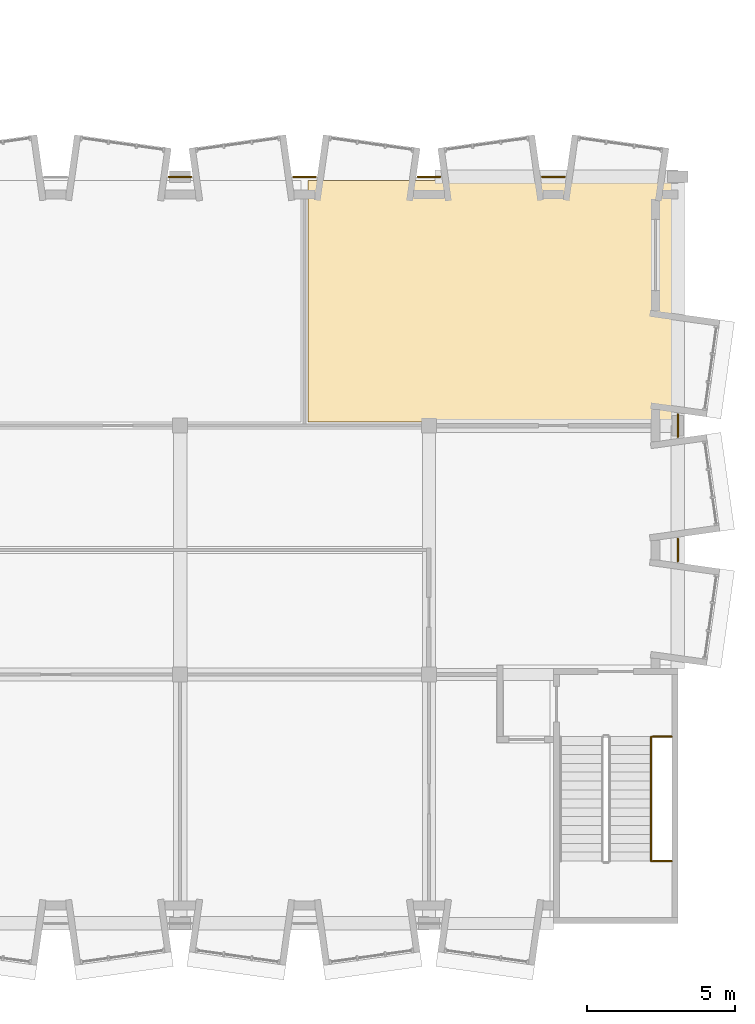
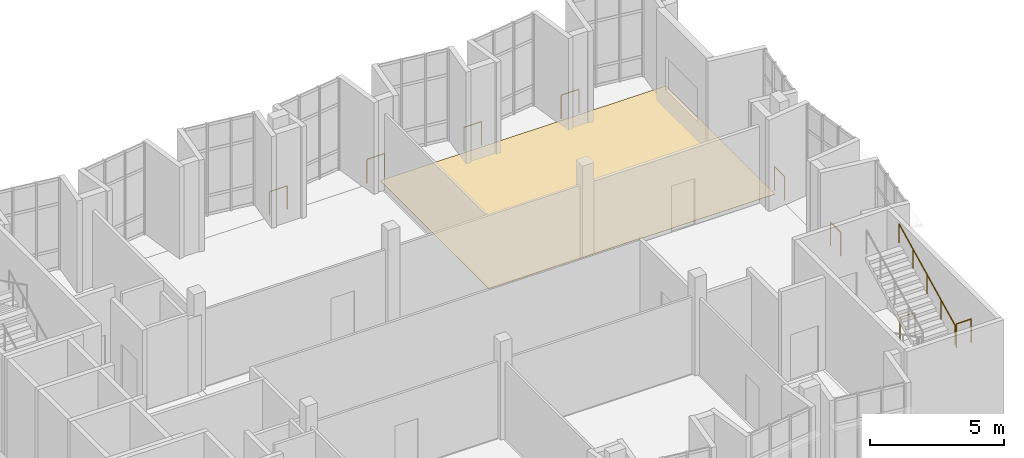
# One storey, part 17 of 18: 9 railings, 1 covering.
"""IFC4 building model written with IfcOpenShell, lengths in metres."""

import ifcopenshell
import ifcopenshell.guid

model = None  # the IFC model being written
_history = None  # IfcOwnerHistory: only IFC2X3 demands one
_inside = {}  # id of a spatial element -> (the spatial element, [elements in it])
_under = {}  # id of a project, library or spatial element -> (it, [spatial elements below it])
_declared = {}  # id of a project -> (the project, [libraries it declares])
_typed = {}  # id of a type object -> (the type object, [elements of that type])
_made_of = {}  # id of a material, layer set ... -> (it, [elements and type objects made of it])


def new_model(schema):
    """Start an empty IFC model of exactly this schema.

    Asked for "IFC4X3", IfcOpenShell would pick the latest addendum, in which some entities
    have other attributes; the version numbers below select the first issue.
    IFC2X3 requires an IfcOwnerHistory on every rooted entity: one is made here for all.
    """
    global model, _history
    if schema == "IFC4X3":
        model = ifcopenshell.file(schema_version=(4, 3, 0, 0))
    else:
        model = ifcopenshell.file(schema=schema)
    _inside.clear()
    _under.clear()
    _declared.clear()
    _typed.clear()
    _made_of.clear()
    _history = None
    if model.schema == "IFC2X3":
        org = make("IfcOrganization", Name="unknown")
        user = make(
            "IfcPersonAndOrganization",
            ThePerson=make("IfcPerson", FamilyName="unknown"),
            TheOrganization=org,
        )
        app = make(
            "IfcApplication",
            ApplicationDeveloper=org,
            Version="unknown",
            ApplicationFullName="unknown",
            ApplicationIdentifier="unknown",
        )
        _history = make(
            "IfcOwnerHistory",
            OwningUser=user,
            OwningApplication=app,
            ChangeAction="ADDED",
            CreationDate=0,
        )
    return model


def make(cls, **values):
    """One entity of the class cls with the attributes given. An attribute that is None is left unset."""
    return model.create_entity(
        cls, **{name: value for name, value in values.items() if value is not None}
    )


def rooted(cls, **values):
    """An entity with a GlobalId (a new one), such as an element, a storey or a relation."""
    return make(cls, GlobalId=ifcopenshell.guid.new(), OwnerHistory=_history, **values)


def si_unit(unit_type, name, prefix=None):
    """IfcSIUnit, for example si_unit("LENGTHUNIT", "METRE", prefix="MILLI")."""
    return make("IfcSIUnit", UnitType=unit_type, Prefix=prefix, Name=name)


def assignment(units):
    """IfcUnitAssignment: the units of a project."""
    return None if units is None else make("IfcUnitAssignment", Units=units)


def point(xyz):
    """IfcCartesianPoint."""
    return None if xyz is None else make("IfcCartesianPoint", Coordinates=xyz)


def direction(xyz):
    """IfcDirection."""
    return None if xyz is None else make("IfcDirection", DirectionRatios=xyz)


def frame(location, z_axis=None, x_axis=None):
    """IfcAxis2Placement3D, a coordinate frame: its origin and axes. An axis left out is left unset."""
    return make(
        "IfcAxis2Placement3D",
        Location=point(location),
        Axis=direction(z_axis),
        RefDirection=direction(x_axis),
    )


def frame_2d(location, x_axis=None):
    """IfcAxis2Placement2D, a coordinate frame in the plane: its origin and x axis."""
    return make(
        "IfcAxis2Placement2D", Location=point(location), RefDirection=direction(x_axis)
    )


def origin():
    """The frame at (0, 0, 0) with its axes left unset."""
    return frame((0.0, 0.0, 0.0))


def origin_2d():
    """The frame at (0, 0) in the plane with its x axis left unset."""
    return frame_2d((0.0, 0.0))


def place(relative_to, where):
    """IfcLocalPlacement: puts the frame where relative to a parent placement (None: the world)."""
    return make(
        "IfcLocalPlacement", PlacementRelTo=relative_to, RelativePlacement=where
    )


def context(
    kind, dimensions, precision=None, world=None, true_north=None, identifier=None
):
    """IfcGeometricRepresentationContext, for example the 3D "Model" context."""
    return make(
        "IfcGeometricRepresentationContext",
        ContextIdentifier=identifier,
        ContextType=kind,
        CoordinateSpaceDimension=dimensions,
        Precision=precision,
        WorldCoordinateSystem=world,
        TrueNorth=true_north,
    )


def subcontext(parent, identifier, kind, view, scale=None):
    """IfcGeometricRepresentationSubContext, for example "Body" below "Model"."""
    return make(
        "IfcGeometricRepresentationSubContext",
        ContextIdentifier=identifier,
        ContextType=kind,
        ParentContext=parent,
        TargetScale=scale,
        TargetView=view,
    )


def project(units=None, contexts=None):
    """IfcProject with its units and contexts."""
    return rooted(
        "IfcProject",
        Name="project",
        RepresentationContexts=contexts,
        UnitsInContext=assignment(units),
    )


def spatial(cls, under=None, at=None, **own):
    """A site, building, storey or space (cls), placed at a placement, below another one or the project."""
    s = rooted(cls, ObjectPlacement=at, **own)
    if under is not None:
        _under.setdefault(under.id(), (under, []))[1].append(s)
    return s


def polyline(points):
    """IfcPolyline through the points."""
    return make("IfcPolyline", Points=[point(p) for p in points])


def profile(cls, at=None, kind="AREA", **sizes):
    """A parametric profile (cls). Its sizes go by their IFC names, for example OverallWidth=200.0."""
    return make(cls, ProfileType=kind, Position=at, **sizes)


def circle(**sizes):
    """IfcCircleProfileDef."""
    return profile("IfcCircleProfileDef", **sizes)


def outline(outer, holes=None, kind="AREA"):
    """IfcArbitraryClosedProfileDef: a profile drawn as a closed curve; with holes, ...WithVoids."""
    if holes is None:
        return make("IfcArbitraryClosedProfileDef", ProfileType=kind, OuterCurve=outer)
    return make(
        "IfcArbitraryProfileDefWithVoids",
        ProfileType=kind,
        OuterCurve=outer,
        InnerCurves=holes,
    )


def extrude(swept, where, along, depth):
    """IfcExtrudedAreaSolid: the profile swept, set in the frame where, extruded along a direction by depth."""
    return make(
        "IfcExtrudedAreaSolid",
        SweptArea=swept,
        Position=where,
        ExtrudedDirection=direction(along),
        Depth=depth,
    )


def shape(context_of_items, identifier, shape_type, items):
    """IfcShapeRepresentation: the items that make up one representation, for example the "Body"."""
    return make(
        "IfcShapeRepresentation",
        ContextOfItems=context_of_items,
        RepresentationIdentifier=identifier,
        RepresentationType=shape_type,
        Items=items,
    )


def material(Name=None, Category=None):
    """IfcMaterial."""
    return make("IfcMaterial", Name=Name, Category=Category)


def layer(
    of_material, thickness, ventilated=None, Name=None, Category=None, Priority=None
):
    """IfcMaterialLayer: one layer of a wall or slab, of a material (None: an air gap)."""
    return make(
        "IfcMaterialLayer",
        Material=of_material,
        LayerThickness=thickness,
        IsVentilated=ventilated,
        Name=Name,
        Category=Category,
        Priority=Priority,
    )


def layer_set(layers, Name=None):
    """IfcMaterialLayerSet."""
    return make("IfcMaterialLayerSet", MaterialLayers=layers, LayerSetName=Name)


def made_of(thing, what):
    """Note that an element or type object is made of a material, layer set ...; save() writes the relation."""
    if what is not None:
        _made_of.setdefault(what.id(), (what, []))[1].append(thing)
    return thing


def type_object(cls, material=None, **own):
    """A type object (cls), such as IfcWallType, which elements share."""
    return made_of(rooted(cls, **own), material)


def element(
    cls,
    number,
    at=None,
    inside=None,
    cuts=None,
    type_object=None,
    material=None,
    context=None,
    identifier="Body",
    shape_type=None,
    held_by="IfcProductDefinitionShape",
    body=None,
    shapes=None,
    **own,
):
    """One element of the class cls, such as IfcWall. Its Tag is "e" and its number.

    at: its placement. inside: the storey or other place that contains it. cuts: it is an
    opening in that element (IfcRelVoidsElement). A single representation is given by context,
    identifier, shape_type and body (its items); several are given by shapes. held_by: the class
    of the entity that holds the representations. save() writes the other relations.
    """
    e = rooted(cls, Tag="e%d" % number, ObjectPlacement=at, **own)
    if body is not None:
        shapes = [shape(context, identifier, shape_type, body)]
    if shapes is not None:
        e.Representation = make(held_by, Representations=shapes)
    if inside is not None:
        _inside.setdefault(inside.id(), (inside, []))[1].append(e)
    if cuts is not None:
        rooted(
            "IfcRelVoidsElement", RelatingBuildingElement=cuts, RelatedOpeningElement=e
        )
    if type_object is not None:
        _typed.setdefault(type_object.id(), (type_object, []))[1].append(e)
    return made_of(e, material)


def aggregate(whole, parts):
    """IfcRelAggregates: a whole, such as a stair, and the parts it consists of."""
    return rooted("IfcRelAggregates", RelatingObject=whole, RelatedObjects=parts)


def save(model, path):
    """Write the relations noted so far, then the file.

    IfcRelAggregates (storeys below a building ...), IfcRelContainedInSpatialStructure (elements
    in a storey), IfcRelDefinesByType, IfcRelAssociatesMaterial and IfcRelDeclares: one each for
    every whole, place, type object, material and project.
    """
    for whole, parts in _under.values():
        aggregate(whole, parts)
    for where, things in _inside.values():
        rooted(
            "IfcRelContainedInSpatialStructure",
            RelatedElements=things,
            RelatingStructure=where,
        )
    for kind, things in _typed.values():
        rooted("IfcRelDefinesByType", RelatedObjects=things, RelatingType=kind)
    for what, things in _made_of.values():
        rooted("IfcRelAssociatesMaterial", RelatedObjects=things, RelatingMaterial=what)
    for by, libraries in _declared.values():
        rooted("IfcRelDeclares", RelatingContext=by, RelatedDefinitions=libraries)
    model.write(path)


model = new_model("IFC4")

# Units and contexts
model_context = context("Model", 3, precision=1e-05, world=origin(), true_north=direction((0.0, 1.0)))
body_context = subcontext(model_context, "Body", "Model", "MODEL_VIEW")
ifc_project = project(units=[si_unit("LENGTHUNIT", "METRE"), si_unit("AREAUNIT", "SQUARE_METRE"), si_unit("VOLUMEUNIT", "CUBIC_METRE"), si_unit("PLANEANGLEUNIT", "RADIAN"), si_unit("MASSUNIT", "GRAM", prefix="KILO")], contexts=[model_context])

# Site, building, storey
site_placement = place(None, origin())
site = spatial("IfcSite", under=ifc_project, at=site_placement, CompositionType="ELEMENT")
building_placement = place(site_placement, origin())
building = spatial("IfcBuilding", under=site, at=building_placement, Name="Kiln Court Media Centre", CompositionType="ELEMENT")
storey_placement = place(building_placement, frame((0.0, 0.0, 33.60009765625)))
storey = spatial("IfcBuildingStorey", under=building, at=storey_placement, Name="L07", CompositionType="ELEMENT", Elevation=33.60009765625)

# Covering
ifc_material_1 = material(Name="Carpet tile")
ifc_layer = layer(ifc_material_1, 0.014892578125)
ifc_layer_set = layer_set([ifc_layer], Name="Carpet tile floor finish 15")
covering_type = type_object("IfcCoveringType", Name="Carpet tile floor finish 15", PredefinedType="FLOORING", material=ifc_layer_set)
covering_placement = place(storey_placement, origin())
element("IfcCovering", 1, at=covering_placement, inside=storey, type_object=covering_type, Name="Quiet Reading Pavilion floor finish", PredefinedType="FLOORING", context=body_context, shape_type="SweptSolid", body=[
    extrude(outline(polyline([(21.1201171875, 16.919921875), (33.47998046875, 16.919921875), (33.47998046875, 25.080078125), (21.1201171875, 25.080078125), (21.1201171875, 16.919921875)])), origin(), (0.0, 0.0, 1.0), 0.014892578125),
])

# Railings
ifc_material_2 = material(Name="Steel S275", Category="steel")
railing_type_1 = type_object("IfcRailingType", Name="Steel S275 balustrade guard 1100", PredefinedType="GUARDRAIL", material=ifc_material_2)
for number, where, name in (
    (2, (16.417724609375, 25.199951171875, 0.0), "L07 slab notch guard"),
    (3, (20.61767578125, 25.199951171875, 0.0), "L07 slab notch guard"),
    (4, (24.817626953125, 25.199951171875, 0.0), "L07 slab notch guard"),
    (5, (29.017578125, 25.199951171875, 0.0), "L07 slab notch guard"),
):
    element("IfcRailing", number, at=place(storey_placement, frame(where)), inside=storey, type_object=railing_type_1, Name=name, PredefinedType="GUARDRAIL", context=body_context, shape_type="SweptSolid", body=[
        extrude(circle(Radius=0.02392578125, at=origin_2d()), frame((0.0, 0.0, 1.076171875), z_axis=(1.0, 0.0, 0.0), x_axis=(0.0, 1.0, 0.0)), (0.0, 0.0, 1.0), 0.7646484375),
        extrude(circle(Radius=0.02099609375, at=origin_2d()), origin(), (0.0, 0.0, 1.0), 1.052001953125),
        extrude(circle(Radius=0.02099609375, at=origin_2d()), frame((0.7646484375, 0.0, 0.0)), (0.0, 0.0, 1.0), 1.052001953125),
    ])
for number, where, name in (
    (6, (33.60009765625, 17.182373046875, 0.0), "L07 slab notch guard"),
    (7, (33.60009765625, 12.982421875, 0.0), "L07 slab notch guard"),
):
    element("IfcRailing", number, at=place(storey_placement, frame(where)), inside=storey, type_object=railing_type_1, Name=name, PredefinedType="GUARDRAIL", context=body_context, shape_type="SweptSolid", body=[
        extrude(circle(Radius=0.02392578125, at=origin_2d()), frame((0.0, 0.0, 1.076171875), z_axis=(0.0, -1.0, 0.0), x_axis=(1.0, 0.0, 0.0)), (0.0, 0.0, 1.0), 0.7646484375),
        extrude(circle(Radius=0.02099609375, at=origin_2d()), origin(), (0.0, 0.0, 1.0), 1.052001953125),
        extrude(circle(Radius=0.02099609375, at=origin_2d()), frame((0.0, -0.7646484375, 0.0)), (0.0, 0.0, 1.0), 1.052001953125),
    ])
ifc_material_3 = material(Name="Steel S275", Category="steel")
railing_type_2 = type_object("IfcRailingType", Name="Steel S275 stair guard 1100", PredefinedType="GUARDRAIL", material=ifc_material_3)
for number, where, name in (
    (8, (32.75, 2.10009765625, 2.25), "ST-03 landing edge guard"),
    (9, (32.75, 6.300048828125, 0.0), "ST-03 landing edge guard"),
):
    element("IfcRailing", number, at=place(storey_placement, frame(where)), inside=storey, type_object=railing_type_2, Name=name, PredefinedType="GUARDRAIL", context=body_context, shape_type="SweptSolid", body=[
        extrude(circle(Radius=0.02392578125, at=origin_2d()), frame((0.0, 0.0, 1.076171875), z_axis=(1.0, 0.0, 0.0), x_axis=(0.0, 1.0, 0.0)), (0.0, 0.0, 1.0), 0.64990234375),
        extrude(circle(Radius=0.02099609375, at=origin_2d()), origin(), (0.0, 0.0, 1.0), 1.052001953125),
        extrude(circle(Radius=0.02099609375, at=origin_2d()), frame((0.64990234375, 0.0, 0.0)), (0.0, 0.0, 1.0), 1.052001953125),
    ])
ifc_material_4 = material(Name="Steel S275", Category="steel")
railing_type_3 = type_object("IfcRailingType", Name="Steel S275 stair handrail 900", PredefinedType="HANDRAIL", material=ifc_material_4)
railing_placement = place(storey_placement, frame((32.699951171875, 2.10009765625, 2.39990234375)))
element("IfcRailing", 10, at=railing_placement, inside=storey, type_object=railing_type_3, Name="ST-03 stair handrail", PredefinedType="HANDRAIL", context=body_context, shape_type="SweptSolid", body=[
    extrude(circle(Radius=0.02392578125, at=origin_2d()), frame((0.0, 0.0, 0.8759765625), z_axis=(0.0, 0.894416792377, 0.447234392142), x_axis=(-1.0, 0.0, 0.0)), (0.0, 0.0, 1.0), 4.69580078125),
    extrude(circle(Radius=0.02099609375, at=origin_2d()), origin(), (0.0, 0.0, 1.0), 0.851806640625),
    extrude(circle(Radius=0.02099609375, at=origin_2d()), frame((0.0, 1.050048828125, 0.52490234375)), (0.0, 0.0, 1.0), 0.851806640625),
    extrude(circle(Radius=0.02099609375, at=origin_2d()), frame((0.0, 2.10009765625, 1.050048828125)), (0.0, 0.0, 1.0), 0.851806640625),
    extrude(circle(Radius=0.02099609375, at=origin_2d()), frame((0.0, 3.14990234375, 1.5751953125)), (0.0, 0.0, 1.0), 0.851806640625),
    extrude(circle(Radius=0.02099609375, at=origin_2d()), frame((0.0, 4.199951171875, 2.10009765625)), (0.0, 0.0, 1.0), 0.851806640625),
])

save(model, "model.ifc")
